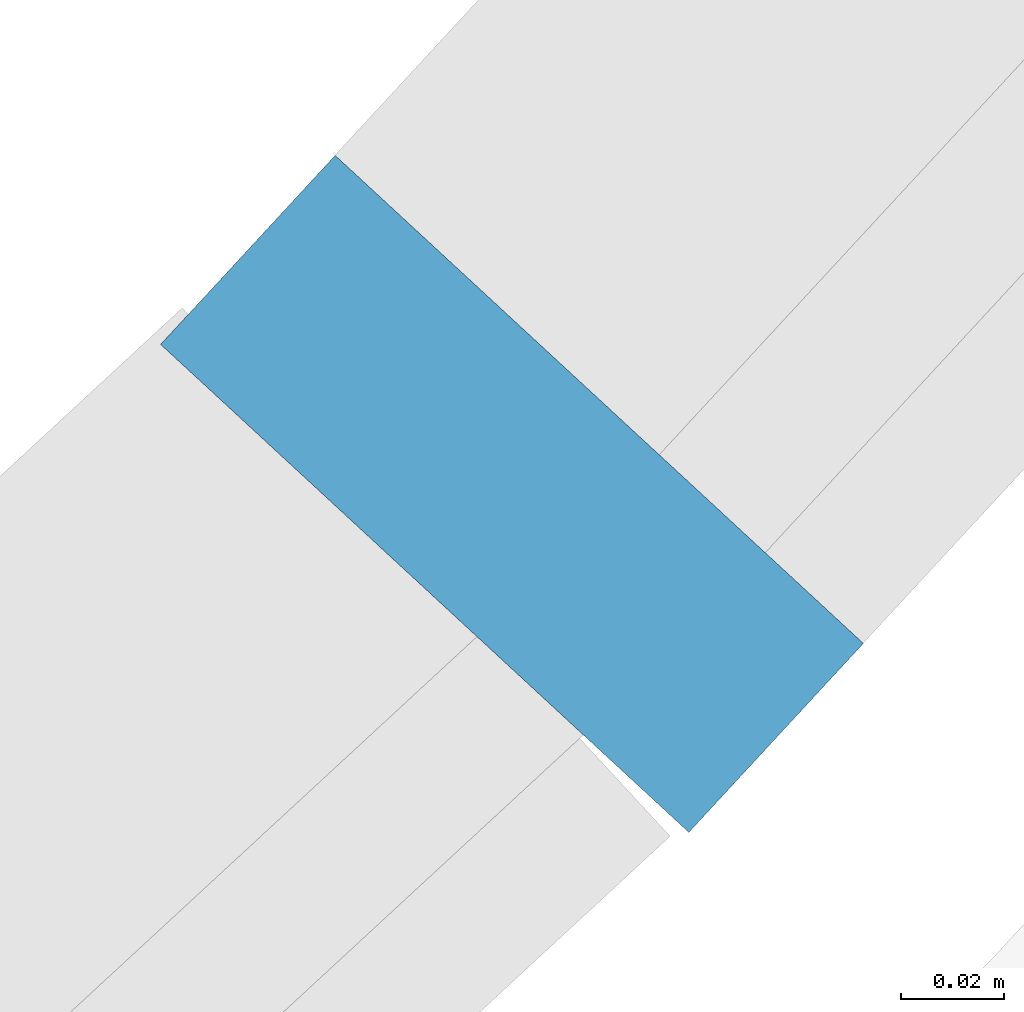
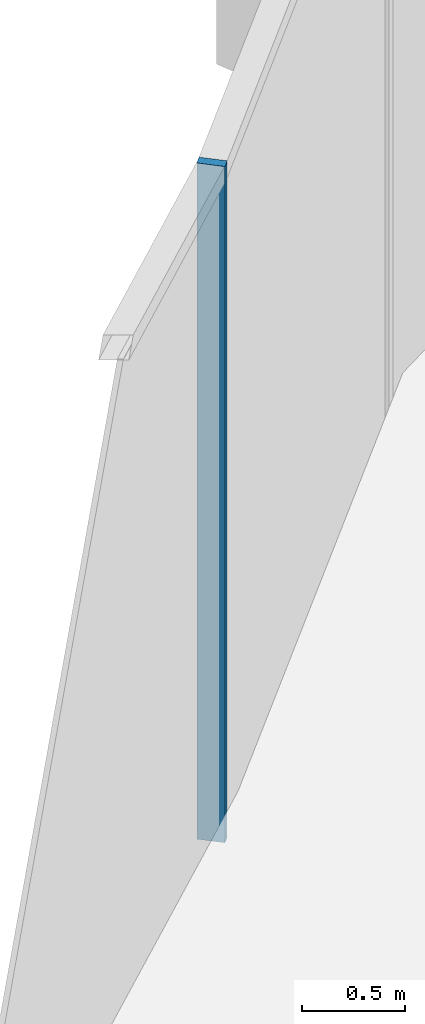
# One storey, part 21 of 34: 1 member, 1 element without a shape of its own.
"""IFC4 building model written with IfcOpenShell, lengths in metres."""

from ifc_helpers import new_model, si_unit, direction, frame, origin, origin_2d, place, context, subcontext, project, spatial, rectangle, extrude, material, material_profile, profile_set, type_object, element, aggregate, save


model = new_model("IFC4")

# Units and contexts
model_context = context("Model", 3, precision=1e-05, world=origin(), true_north=direction((0.0, 1.0)))
body_context = subcontext(model_context, "Body", "Model", "MODEL_VIEW")
ifc_project = project(units=[si_unit("LENGTHUNIT", "METRE"), si_unit("AREAUNIT", "SQUARE_METRE"), si_unit("VOLUMEUNIT", "CUBIC_METRE"), si_unit("PLANEANGLEUNIT", "RADIAN"), si_unit("MASSUNIT", "GRAM", prefix="KILO")], contexts=[model_context])

# Site, building, storey
site_placement = place(None, origin())
site = spatial("IfcSite", under=ifc_project, at=site_placement, CompositionType="ELEMENT")
building_placement = place(site_placement, origin())
building = spatial("IfcBuilding", under=site, at=building_placement, Name="Ogive Gate Towers", CompositionType="ELEMENT")
storey_placement = place(building_placement, frame((0.0, 0.0, 294.0)))
storey = spatial("IfcBuildingStorey", under=building, at=storey_placement, Name="L69", CompositionType="ELEMENT", Elevation=294.0)

# Curtain wall, member
ifc_material = material(Name="Pale metal aluminium", Category="aluminium")
curtain_wall_type = type_object("IfcCurtainWallType", Name="Crown lean wall", PredefinedType="NOTDEFINED", material=ifc_material)
curtain_wall_placement = place(storey_placement, origin())
curtain_wall = element("IfcCurtainWall", 1, at=curtain_wall_placement, inside=storey, type_object=curtain_wall_type, Name="CW5 T2 ECW03", PredefinedType="NOTDEFINED")
ifc_material_profile = material_profile(ifc_material, rectangle(XDim=0.139892578125, YDim=0.050048828125, at=origin_2d()), Name="50 x 140 aluminium box")
ifc_profile_set = profile_set([ifc_material_profile], Name="Pale metal aluminium")
member_type = type_object("IfcMemberType", Name="Crown lean wall mullion 50 x 140", PredefinedType="MULLION", material=ifc_profile_set)
member_placement = place(storey_placement, frame((23.140380859375, 12.85791015625, -0.300048828125), z_axis=(0.0, 0.0, 1.0), x_axis=(0.734547567907, -0.678557197649, 0.0)))
member = element("IfcMember", 2, at=member_placement, type_object=member_type, Name="CW5 mullion", PredefinedType="MULLION", context=body_context, shape_type="SweptSolid", body=[
    extrude(rectangle(XDim=0.139892578125, YDim=0.050048828125, at=origin_2d()), origin(), (0.0, 0.0, 1.0), 4.0),
])
aggregate(curtain_wall, [member])

save(model, "model.ifc")
